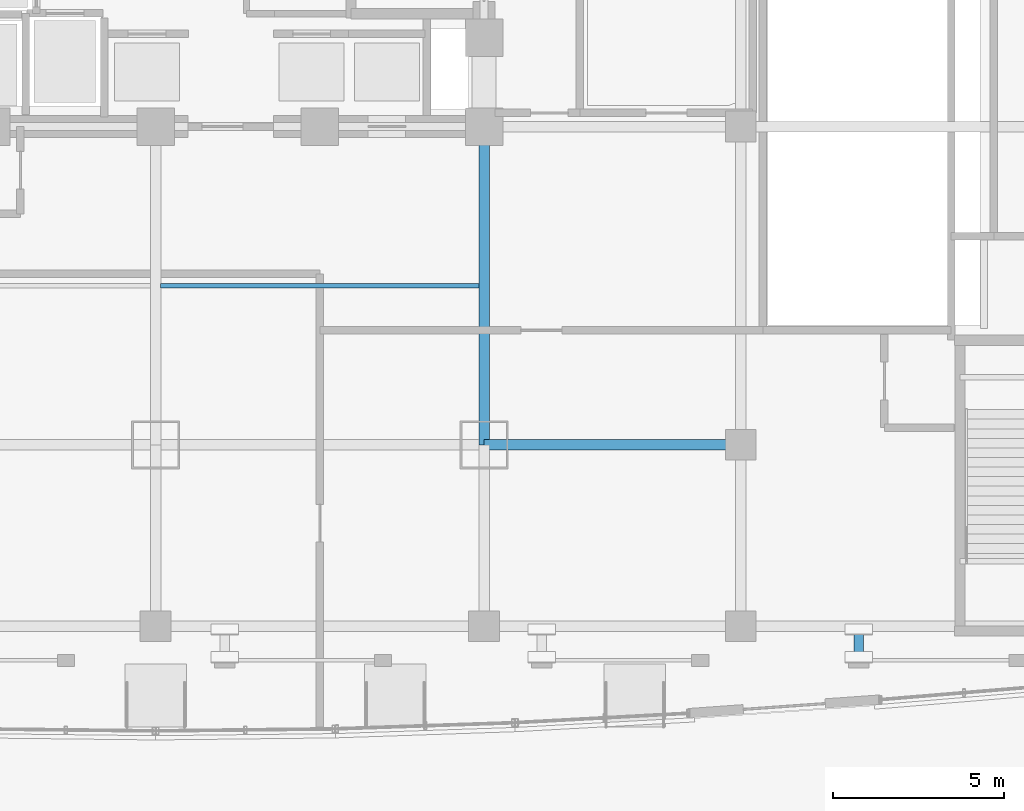
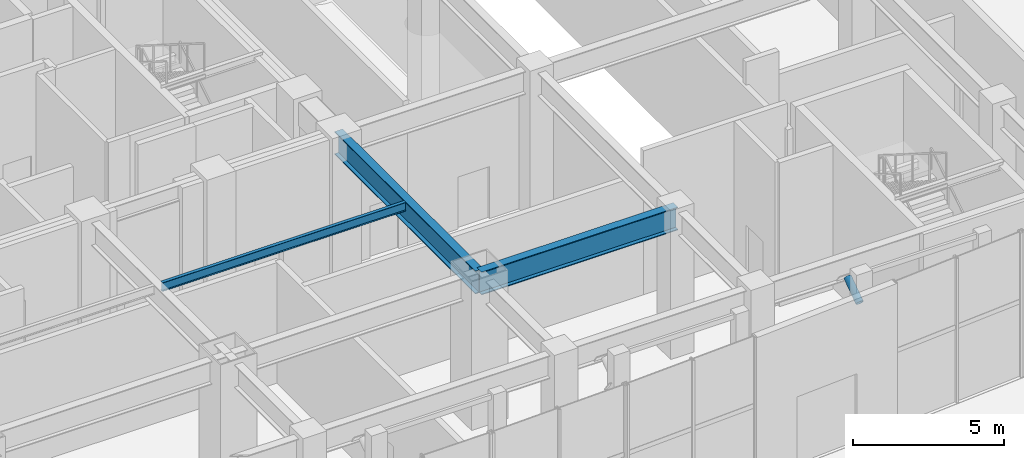
# One storey, part 8 of 23: 3 beams, 1 member.
"""IFC4 building model written with IfcOpenShell, lengths in metres."""

from ifc_helpers import new_model, si_unit, direction, frame, origin, origin_2d, place, context, subcontext, project, spatial, hollow_circle, i_section, extrude, material, material_profile, profile_set, type_object, element, save


model = new_model("IFC4")

# Units and contexts
model_context = context("Model", 3, precision=1e-05, world=origin(), true_north=direction((0.0, 1.0)))
body_context = subcontext(model_context, "Body", "Model", "MODEL_VIEW")
ifc_project = project(units=[si_unit("LENGTHUNIT", "METRE"), si_unit("AREAUNIT", "SQUARE_METRE"), si_unit("VOLUMEUNIT", "CUBIC_METRE"), si_unit("PLANEANGLEUNIT", "RADIAN"), si_unit("MASSUNIT", "GRAM", prefix="KILO")], contexts=[model_context])

# Site, building, storey
site_placement = place(None, origin())
site = spatial("IfcSite", under=ifc_project, at=site_placement, CompositionType="ELEMENT")
building_placement = place(site_placement, origin())
building = spatial("IfcBuilding", under=site, at=building_placement, Name="Vantalir Tower", CompositionType="ELEMENT")
storey_placement = place(building_placement, origin())
storey = spatial("IfcBuildingStorey", under=building, at=storey_placement, Name="L00", CompositionType="ELEMENT", Elevation=0.0)

# Beams
ifc_material = material(Name="Steel S355", Category="steel")
ifc_material_profile_1 = material_profile(ifc_material, i_section(OverallWidth=0.1259765625, OverallDepth=0.35302734375, WebThickness=0.006591796875, FlangeThickness=0.0107421875, at=origin_2d()), Name="Steel S355")
ifc_profile_set_1 = profile_set([ifc_material_profile_1], Name="Steel S355")
beam_type_1 = type_object("IfcBeamType", Name="BM-JS-356x127", PredefinedType="JOIST", material=ifc_profile_set_1)
beam_1_placement = place(storey_placement, frame((31.64501953125, 13.14990234375, 5.64404296875), z_axis=(1.0, 0.0, 0.0), x_axis=(0.0, 1.0, 0.0)))
element("IfcBeam", 1, at=beam_1_placement, inside=storey, type_object=beam_type_1, Name="L00 Secondary Composite Joist 05", PredefinedType="JOIST", context=body_context, shape_type="SweptSolid", body=[
    extrude(i_section(OverallWidth=0.1259765625, OverallDepth=0.35302734375, WebThickness=0.006591796875, FlangeThickness=0.0107421875, at=origin_2d()), origin(), (0.0, 0.0, 1.0), 9.31005859375),
])
ifc_material_profile_2 = material_profile(ifc_material, i_section(OverallWidth=0.30810546875, OverallDepth=0.927001953125, WebThickness=0.01953125, FlangeThickness=0.031982421875, at=origin_2d()), Name="Steel S355")
ifc_profile_set_2 = profile_set([ifc_material_profile_2], Name="Steel S355")
beam_type_2 = type_object("IfcBeamType", Name="BM-PG-914x305", PredefinedType="USERDEFINED", material=ifc_profile_set_2)
beam_2_placement = place(storey_placement, frame((41.10009765625, 8.5, 5.35693359375), z_axis=(1.0, 0.0, 0.0), x_axis=(0.0, 1.0, 0.0)))
element("IfcBeam", 2, at=beam_2_placement, inside=storey, type_object=beam_type_2, Name="L00 Podium E-W Girder 11", ObjectType="GIRDER", PredefinedType="USERDEFINED", context=body_context, shape_type="SweptSolid", body=[
    extrude(i_section(OverallWidth=0.30810546875, OverallDepth=0.927001953125, WebThickness=0.01953125, FlangeThickness=0.031982421875, at=origin_2d()), origin(), (0.0, 0.0, 1.0), 7.5),
])
beam_3_placement = place(storey_placement, frame((41.10009765625, 8.5, 5.35693359375), z_axis=(0.0, 1.0, 0.0), x_axis=(-1.0, 0.0, 0.0)))
element("IfcBeam", 3, at=beam_3_placement, inside=storey, type_object=beam_type_2, Name="L00 Podium N-S Girder 68", ObjectType="GIRDER", PredefinedType="USERDEFINED", context=body_context, shape_type="SweptSolid", body=[
    extrude(i_section(OverallWidth=0.30810546875, OverallDepth=0.927001953125, WebThickness=0.01953125, FlangeThickness=0.031982421875, at=origin_2d()), origin(), (0.0, 0.0, 1.0), 9.300048828125),
])

# Member
ifc_material_profile_3 = material_profile(ifc_material, hollow_circle(Radius=0.136474609375, WallThickness=0.01611328125, at=origin_2d()), Name="Steel S355")
ifc_profile_set_3 = profile_set([ifc_material_profile_3], Name="Steel S355")
member_type = type_object("IfcMemberType", Name="MEM-ST-273x16", PredefinedType="STRUT", material=ifc_profile_set_3)
member_placement = place(storey_placement, frame((52.050048828125, 2.298095703125, 4.4189453125), z_axis=(0.0, 0.81959423401, 0.572944405311), x_axis=(-1.0, 0.0, 0.0)))
element("IfcMember", 4, at=member_placement, inside=storey, type_object=member_type, Name="L00 Waterfront Canopy Strut 06", PredefinedType="STRUT", context=body_context, shape_type="SweptSolid", body=[
    extrude(hollow_circle(Radius=0.136474609375, WallThickness=0.01611328125, at=origin_2d()), origin(), (0.0, 0.0, 1.0), 0.98095703125),
])

save(model, "model.ifc")
